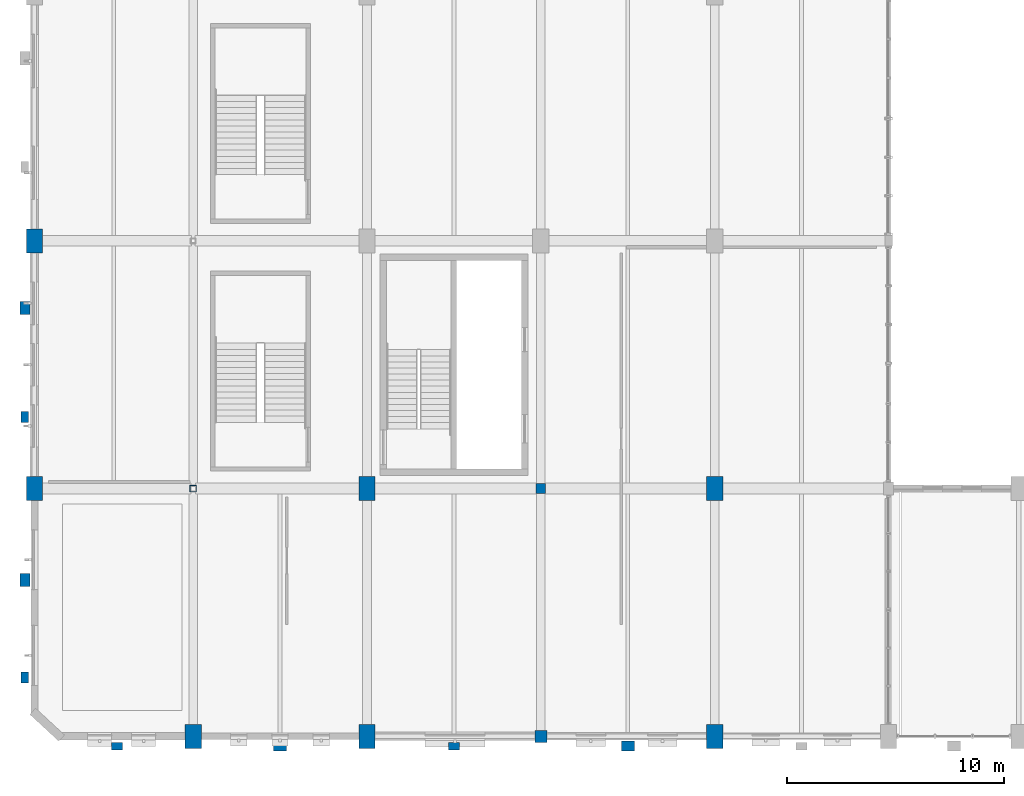
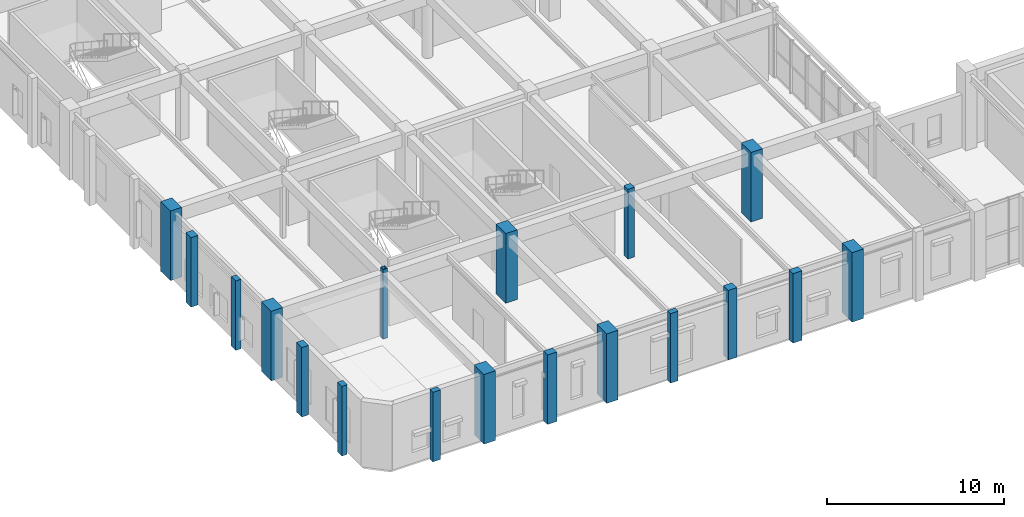
# One storey, part 1 of 106: 18 columns.
"""IFC4 building model written with IfcOpenShell, lengths in metres."""

from ifc_helpers import new_model, si_unit, direction, frame, origin, origin_2d, place, context, subcontext, project, spatial, rectangle, hollow_rectangle, extrude, material, material_profile, profile_set, type_object, element, save


model = new_model("IFC4")

# Units and contexts
model_context = context("Model", 3, precision=1e-05, world=origin(), true_north=direction((0.0, 1.0)))
body_context = subcontext(model_context, "Body", "Model", "MODEL_VIEW")
ifc_project = project(units=[si_unit("LENGTHUNIT", "METRE"), si_unit("AREAUNIT", "SQUARE_METRE"), si_unit("VOLUMEUNIT", "CUBIC_METRE"), si_unit("PLANEANGLEUNIT", "RADIAN"), si_unit("MASSUNIT", "GRAM", prefix="KILO"), si_unit("POWERUNIT", "WATT"), si_unit("THERMODYNAMICTEMPERATUREUNIT", "KELVIN")], contexts=[model_context])

# Site, building, storey
site_placement = place(None, origin())
site = spatial("IfcSite", under=ifc_project, at=site_placement, CompositionType="ELEMENT")
building_placement = place(site_placement, origin())
building = spatial("IfcBuilding", under=site, at=building_placement, Name="Kelmbourne Parkland Aquatics Centre", CompositionType="ELEMENT")
storey_placement = place(building_placement, frame((0.0, 0.0, 5.39990234375)))
storey = spatial("IfcBuildingStorey", under=building, at=storey_placement, Name="L01", CompositionType="ELEMENT", Elevation=5.39990234375)

# Columns
ifc_material_1 = material(Name="Concrete C40/50", Category="concrete")
ifc_material_profile_1 = material_profile(ifc_material_1, rectangle(XDim=0.75, YDim=1.10009765625, at=origin_2d()), Name="RC 750x1100")
ifc_profile_set_1 = profile_set([ifc_material_profile_1], Name="Concrete C40/50")
column_type_1 = type_object("IfcColumnType", Name="COL-C03", PredefinedType="COLUMN", material=ifc_profile_set_1)
for number, where, z_axis, x_axis, name in (
    (1, (0.699951171875, 12.199951171875, 0.0), (0.0, 0.0, 1.0), (1.0, 0.0, 0.0), "Structural column A-03 (L01)"),
    (2, (0.699951171875, 23.60009765625, 0.0), (0.0, 0.0, 1.0), (1.0, 0.0, 0.0), "Structural column A-04 (L01)"),
    (3, (8.0, 0.800048828125, 0.0), (0.0, 0.0, 1.0), (1.0, 0.0, 0.0), "Structural column B-01 (L01)"),
    (4, (16.0, 0.800048828125, 0.0), (0.0, 0.0, 1.0), (1.0, 0.0, 0.0), "Structural column C-01 (L01)"),
    (5, (16.0, 12.199951171875, 0.0), (0.0, 0.0, 1.0), (1.0, 0.0, 0.0), "Structural column C-03 (L01)"),
    (6, (32.0, 0.800048828125, 0.0), (0.0, 0.0, 1.0), (1.0, 0.0, 0.0), "Structural column E-01 (L01)"),
    (7, (32.0, 12.199951171875, 0.0), (0.0, 0.0, 1.0), (1.0, 0.0, 0.0), "Structural column E-03 (L01)"),
):
    element("IfcColumn", number, at=place(storey_placement, frame(where, z_axis=z_axis, x_axis=x_axis)), inside=storey, type_object=column_type_1, Name=name, PredefinedType="COLUMN", context=body_context, shape_type="SweptSolid", body=[
        extrude(rectangle(XDim=0.75, YDim=1.10009765625, at=origin_2d()), origin(), (0.0, 0.0, 1.0), 4.800048828125),
    ])
ifc_material_profile_2 = material_profile(ifc_material_1, rectangle(XDim=0.550048828125, YDim=0.550048828125, at=origin_2d()), Name="RC 550x550")
ifc_profile_set_2 = profile_set([ifc_material_profile_2], Name="Concrete C40/50")
column_type_2 = type_object("IfcColumnType", Name="COL-C07", PredefinedType="COLUMN", material=ifc_profile_set_2)
column_1_placement = place(storey_placement, frame((24.0, 0.800048828125, 0.0), z_axis=(0.0, 0.0, 1.0), x_axis=(1.0, 0.0, 0.0)))
element("IfcColumn", 8, at=column_1_placement, inside=storey, type_object=column_type_2, Name="Structural column D-01 (L01)", PredefinedType="COLUMN", context=body_context, shape_type="SweptSolid", body=[
    extrude(rectangle(XDim=0.550048828125, YDim=0.550048828125, at=origin_2d()), origin(), (0.0, 0.0, 1.0), 4.800048828125),
])
ifc_material_profile_3 = material_profile(ifc_material_1, rectangle(XDim=0.449951171875, YDim=0.449951171875, at=origin_2d()), Name="RC 450x450")
ifc_profile_set_3 = profile_set([ifc_material_profile_3], Name="Concrete C40/50")
column_type_3 = type_object("IfcColumnType", Name="COL-C08", PredefinedType="COLUMN", material=ifc_profile_set_3)
column_2_placement = place(storey_placement, frame((24.0, 12.199951171875, 0.0), z_axis=(0.0, 0.0, 1.0), x_axis=(1.0, 0.0, 0.0)))
element("IfcColumn", 9, at=column_2_placement, inside=storey, type_object=column_type_3, Name="Structural column D-03 (L01)", PredefinedType="COLUMN", context=body_context, shape_type="SweptSolid", body=[
    extrude(rectangle(XDim=0.449951171875, YDim=0.449951171875, at=origin_2d()), origin(), (0.0, 0.0, 1.0), 4.800048828125),
])
ifc_material_2 = material(Name="Cold-formed hollow steel AS/NZS 1163 C350L0", Category="steel")
ifc_material_profile_4 = material_profile(ifc_material_2, hollow_rectangle(XDim=0.300048828125, YDim=0.300048828125, WallThickness=0.012451171875, at=origin_2d()), Name="SHS 300x300x12.5")
ifc_profile_set_4 = profile_set([ifc_material_profile_4], Name="Cold-formed hollow steel AS/NZS 1163 C350L0")
column_type_4 = type_object("IfcColumnType", Name="COL-C22", PredefinedType="COLUMN", material=ifc_profile_set_4)
column_3_placement = place(storey_placement, frame((8.0, 12.199951171875, 0.0), z_axis=(0.0, 0.0, 1.0), x_axis=(1.0, 0.0, 0.0)))
element("IfcColumn", 10, at=column_3_placement, inside=storey, type_object=column_type_4, Name="Structural column B-03 (L01)", PredefinedType="COLUMN", context=body_context, shape_type="SweptSolid", body=[
    extrude(hollow_rectangle(XDim=0.300048828125, YDim=0.300048828125, WallThickness=0.012451171875, at=origin_2d()), origin(), (0.0, 0.0, 1.0), 4.800048828125),
])
ifc_material_3 = material(Name="Clay brick masonry AS 3700 M12", Category="masonry")
ifc_material_profile_5 = material_profile(ifc_material_3, rectangle(XDim=0.35009765625, YDim=0.5, at=origin_2d()), Name="PIL 350x500")
ifc_profile_set_5 = profile_set([ifc_material_profile_5], Name="Clay brick masonry AS 3700 M12")
column_type_5 = type_object("IfcColumnType", Name="PIL-PL1", PredefinedType="PILASTER", material=ifc_profile_set_5)
for number, where, z_axis, x_axis, name in (
    (11, (0.260009765625, 3.5, 0.0), (0.0, 0.0, 1.0), (1.0, 0.0, 0.0), "Amsterdam School engaged brick buttress W-001 (L01)"),
    (12, (0.260009765625, 15.5, 0.0), (0.0, 0.0, 1.0), (1.0, 0.0, 0.0), "Amsterdam School engaged brick buttress W-003 (L01)"),
    (13, (4.5, 0.35009765625, 0.0), (0.0, 0.0, 1.0), (0.0, 1.0, 0.0), "Amsterdam School engaged brick buttress S-019 (L01)"),
    (14, (20.0, 0.35009765625, 0.0), (0.0, 0.0, 1.0), (0.0, 1.0, 0.0), "Amsterdam School engaged brick buttress S-021 (L01)"),
):
    element("IfcColumn", number, at=place(storey_placement, frame(where, z_axis=z_axis, x_axis=x_axis)), inside=storey, type_object=column_type_5, Name=name, PredefinedType="PILASTER", context=body_context, shape_type="SweptSolid", body=[
        extrude(rectangle(XDim=0.35009765625, YDim=0.5, at=origin_2d()), origin(), (0.0, 0.0, 1.0), 4.800048828125),
    ])
ifc_material_profile_6 = material_profile(ifc_material_3, rectangle(XDim=0.449951171875, YDim=0.60009765625, at=origin_2d()), Name="PIL 450x600")
ifc_profile_set_6 = profile_set([ifc_material_profile_6], Name="Clay brick masonry AS 3700 M12")
column_type_6 = type_object("IfcColumnType", Name="PIL-PL2", PredefinedType="PILASTER", material=ifc_profile_set_6)
for number, where, z_axis, x_axis, name in (
    (15, (0.260009765625, 8.0, 0.0), (0.0, 0.0, 1.0), (1.0, 0.0, 0.0), "Amsterdam School engaged brick buttress W-002 (L01)"),
    (16, (0.260009765625, 20.5, 0.0), (0.0, 0.0, 1.0), (1.0, 0.0, 0.0), "Amsterdam School engaged brick buttress W-004 (L01)"),
    (17, (12.0, 0.35009765625, 0.0), (0.0, 0.0, 1.0), (0.0, 1.0, 0.0), "Amsterdam School engaged brick buttress S-020 (L01)"),
    (18, (28.0, 0.35009765625, 0.0), (0.0, 0.0, 1.0), (0.0, 1.0, 0.0), "Amsterdam School engaged brick buttress S-022 (L01)"),
):
    element("IfcColumn", number, at=place(storey_placement, frame(where, z_axis=z_axis, x_axis=x_axis)), inside=storey, type_object=column_type_6, Name=name, PredefinedType="PILASTER", context=body_context, shape_type="SweptSolid", body=[
        extrude(rectangle(XDim=0.449951171875, YDim=0.60009765625, at=origin_2d()), origin(), (0.0, 0.0, 1.0), 4.800048828125),
    ])

save(model, "model.ifc")
